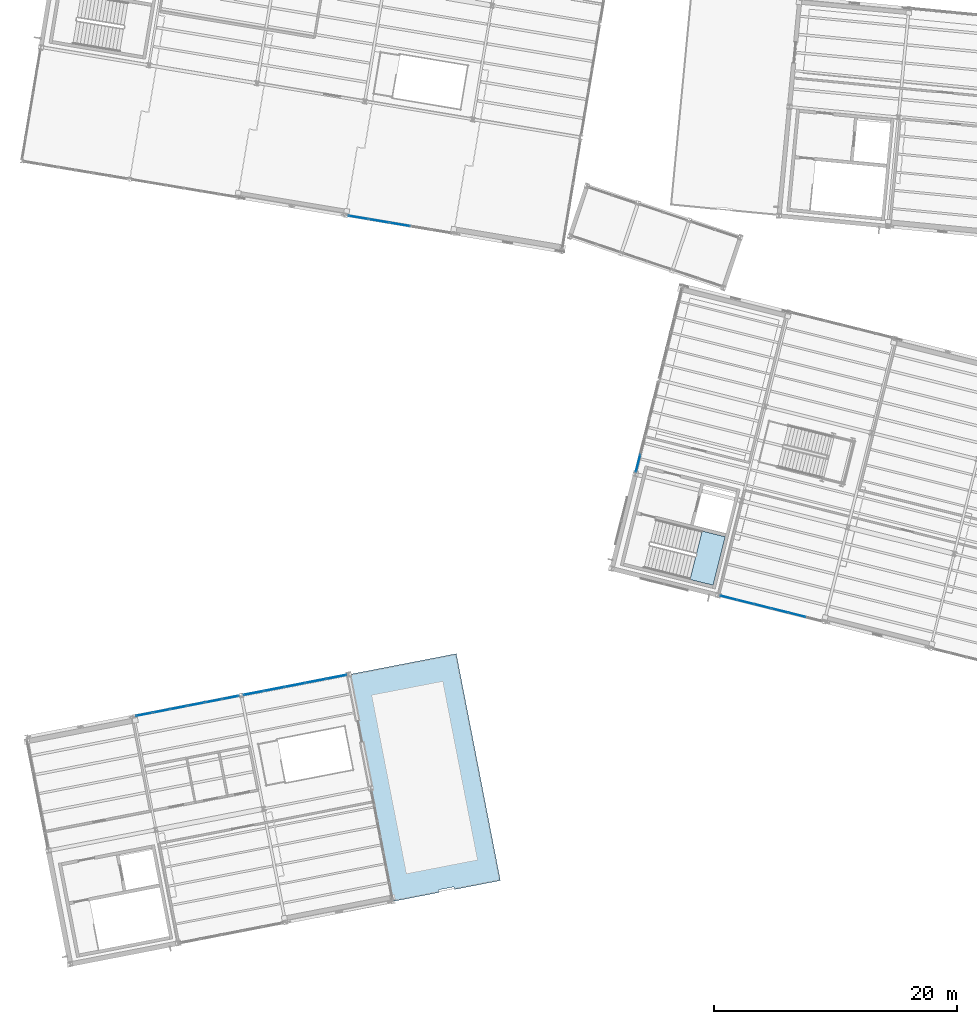
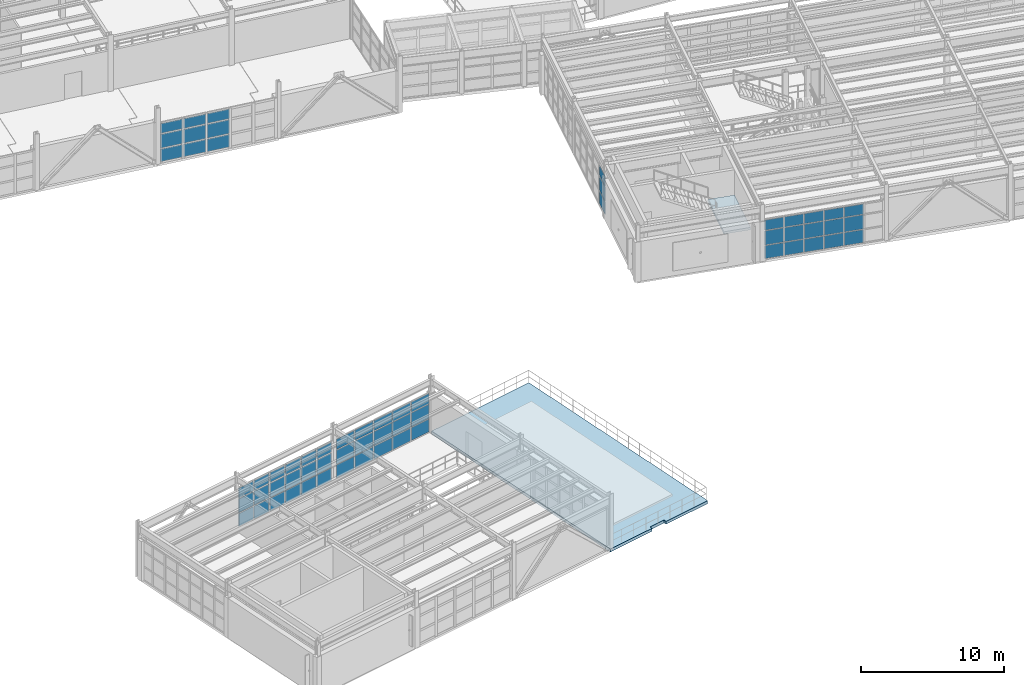
# One storey, part 60 of 102: 60 plates, 2 slabs, 6 elements without a shape of their own.
"""IFC4 building model written with IfcOpenShell, lengths in metres."""

from ifc_helpers import new_model, si_unit, direction, frame, origin, origin_2d, place, context, subcontext, project, spatial, polyline, rectangle, outline, extrude, material, layer, layer_set, type_object, element, aggregate, save


model = new_model("IFC4")

# Units and contexts
model_context = context("Model", 3, precision=1e-05, world=origin(), true_north=direction((0.0, 1.0)))
body_context = subcontext(model_context, "Body", "Model", "MODEL_VIEW")
ifc_project = project(units=[si_unit("LENGTHUNIT", "METRE"), si_unit("AREAUNIT", "SQUARE_METRE"), si_unit("VOLUMEUNIT", "CUBIC_METRE"), si_unit("PLANEANGLEUNIT", "RADIAN"), si_unit("MASSUNIT", "GRAM", prefix="KILO")], contexts=[model_context])

# Site, building, storey
site_placement = place(None, origin())
site = spatial("IfcSite", under=ifc_project, at=site_placement, CompositionType="ELEMENT")
building_placement = place(site_placement, origin())
building = spatial("IfcBuilding", under=site, at=building_placement, Name="Vireo Bluff Cable Station", CompositionType="ELEMENT")
storey_placement = place(building_placement, frame((0.0, 0.0, 9.60009765625)))
storey = spatial("IfcBuildingStorey", under=building, at=storey_placement, Name="L02", CompositionType="ELEMENT", Elevation=9.60009765625)

# Curtain wall, plates
ifc_material_1 = material(Name="Anodized Aluminium 6063-T6", Category="aluminium")
ifc_layer_1 = layer(ifc_material_1, 0.179931640625, Name="Anodized Aluminium 6063-T6")
ifc_layer_set_1 = layer_set([ifc_layer_1], Name="Anodized Aluminium 6063-T6")
curtain_wall_type_1 = type_object("IfcCurtainWallType", Name="CW-UNIT-1500", PredefinedType="USERDEFINED", material=ifc_layer_set_1)
curtain_wall_1_placement = place(storey_placement, origin())
curtain_wall_1 = element("IfcCurtainWall", 1, at=curtain_wall_1_placement, inside=storey, type_object=curtain_wall_type_1, Name="V1 L02 south curtain wall CW-010", ObjectType="UNITISED CURTAIN WALL", PredefinedType="USERDEFINED")
ifc_material_2 = material(Name="Laminated Low-E Insulated Glass", Category="glass")
ifc_layer_2 = layer(ifc_material_2, 0.028076171875, Name="Laminated Low-E Insulated Glass")
ifc_layer_set_2 = layer_set([ifc_layer_2], Name="Laminated Low-E Insulated Glass")
plate_type_1 = type_object("IfcPlateType", Name="CWP-28-1", PredefinedType="CURTAIN_PANEL", material=ifc_layer_set_2)
plate_1_placement = place(storey_placement, frame((69.206298828125, 34.208740234375, 0.059814453125), z_axis=(0.0, 0.0, 1.0), x_axis=(-0.970295740151, 0.241921839952, 0.0)))
plate_1 = element("IfcPlate", 2, at=plate_1_placement, type_object=plate_type_1, Name="CW-010 panel 2.1", PredefinedType="CURTAIN_PANEL", context=body_context, shape_type="SweptSolid", body=[
    extrude(rectangle(XDim=1.387939453125, YDim=0.028076171875, at=origin_2d()), origin(), (0.0, 0.0, 1.0), 1.10009765625),
])
plate_2_placement = place(storey_placement, frame((69.206298828125, 34.208740234375, 1.2197265625), z_axis=(0.0, 0.0, 1.0), x_axis=(-0.970295740151, 0.241921839952, 0.0)))
plate_2 = element("IfcPlate", 3, at=plate_2_placement, type_object=plate_type_1, Name="CW-010 panel 2.2", PredefinedType="CURTAIN_PANEL", context=body_context, shape_type="SweptSolid", body=[
    extrude(rectangle(XDim=1.387939453125, YDim=0.028076171875, at=origin_2d()), origin(), (0.0, 0.0, 1.0), 1.197998046875),
])
plate_3_placement = place(storey_placement, frame((69.206298828125, 34.208740234375, 2.47802734375), z_axis=(0.0, 0.0, 1.0), x_axis=(-0.970295740151, 0.241921839952, 0.0)))
plate_3 = element("IfcPlate", 4, at=plate_3_placement, type_object=plate_type_1, Name="CW-010 panel 2.3", PredefinedType="CURTAIN_PANEL", context=body_context, shape_type="SweptSolid", body=[
    extrude(rectangle(XDim=1.387939453125, YDim=0.028076171875, at=origin_2d()), origin(), (0.0, 0.0, 1.0), 0.862060546875),
])
plate_4_placement = place(storey_placement, frame((67.801513671875, 34.558837890625, 0.059814453125), z_axis=(0.0, 0.0, 1.0), x_axis=(-0.970295740151, 0.241921839952, 0.0)))
plate_4 = element("IfcPlate", 5, at=plate_4_placement, type_object=plate_type_1, Name="CW-010 panel 3.1", PredefinedType="CURTAIN_PANEL", context=body_context, shape_type="SweptSolid", body=[
    extrude(rectangle(XDim=1.387939453125, YDim=0.028076171875, at=origin_2d()), origin(), (0.0, 0.0, 1.0), 1.10009765625),
])
plate_5_placement = place(storey_placement, frame((67.801513671875, 34.558837890625, 1.2197265625), z_axis=(0.0, 0.0, 1.0), x_axis=(-0.970295740151, 0.241921839952, 0.0)))
plate_5 = element("IfcPlate", 6, at=plate_5_placement, type_object=plate_type_1, Name="CW-010 panel 3.2", PredefinedType="CURTAIN_PANEL", context=body_context, shape_type="SweptSolid", body=[
    extrude(rectangle(XDim=1.387939453125, YDim=0.028076171875, at=origin_2d()), origin(), (0.0, 0.0, 1.0), 1.197998046875),
])
plate_6_placement = place(storey_placement, frame((67.801513671875, 34.558837890625, 2.47802734375), z_axis=(0.0, 0.0, 1.0), x_axis=(-0.970295740151, 0.241921839952, 0.0)))
plate_6 = element("IfcPlate", 7, at=plate_6_placement, type_object=plate_type_1, Name="CW-010 panel 3.3", PredefinedType="CURTAIN_PANEL", context=body_context, shape_type="SweptSolid", body=[
    extrude(rectangle(XDim=1.387939453125, YDim=0.028076171875, at=origin_2d()), origin(), (0.0, 0.0, 1.0), 0.862060546875),
])
plate_7_placement = place(storey_placement, frame((66.396484375, 34.9091796875, 0.059814453125), z_axis=(0.0, 0.0, 1.0), x_axis=(-0.970295740151, 0.241921839952, 0.0)))
plate_7 = element("IfcPlate", 8, at=plate_7_placement, type_object=plate_type_1, Name="CW-010 panel 4.1", PredefinedType="CURTAIN_PANEL", context=body_context, shape_type="SweptSolid", body=[
    extrude(rectangle(XDim=1.387939453125, YDim=0.028076171875, at=origin_2d()), origin(), (0.0, 0.0, 1.0), 1.10009765625),
])
plate_8_placement = place(storey_placement, frame((66.396484375, 34.9091796875, 1.2197265625), z_axis=(0.0, 0.0, 1.0), x_axis=(-0.970295740151, 0.241921839952, 0.0)))
plate_8 = element("IfcPlate", 9, at=plate_8_placement, type_object=plate_type_1, Name="CW-010 panel 4.2", PredefinedType="CURTAIN_PANEL", context=body_context, shape_type="SweptSolid", body=[
    extrude(rectangle(XDim=1.387939453125, YDim=0.028076171875, at=origin_2d()), origin(), (0.0, 0.0, 1.0), 1.197998046875),
])
plate_9_placement = place(storey_placement, frame((66.396484375, 34.9091796875, 2.47802734375), z_axis=(0.0, 0.0, 1.0), x_axis=(-0.970295740151, 0.241921839952, 0.0)))
plate_9 = element("IfcPlate", 10, at=plate_9_placement, type_object=plate_type_1, Name="CW-010 panel 4.3", PredefinedType="CURTAIN_PANEL", context=body_context, shape_type="SweptSolid", body=[
    extrude(rectangle(XDim=1.387939453125, YDim=0.028076171875, at=origin_2d()), origin(), (0.0, 0.0, 1.0), 0.862060546875),
])
plate_10_placement = place(storey_placement, frame((64.99169921875, 35.259521484375, 0.059814453125), z_axis=(0.0, 0.0, 1.0), x_axis=(-0.970295740151, 0.241921839952, 0.0)))
plate_10 = element("IfcPlate", 11, at=plate_10_placement, type_object=plate_type_1, Name="CW-010 panel 5.1", PredefinedType="CURTAIN_PANEL", context=body_context, shape_type="SweptSolid", body=[
    extrude(rectangle(XDim=1.387939453125, YDim=0.028076171875, at=origin_2d()), origin(), (0.0, 0.0, 1.0), 1.10009765625),
])
plate_11_placement = place(storey_placement, frame((64.99169921875, 35.259521484375, 1.2197265625), z_axis=(0.0, 0.0, 1.0), x_axis=(-0.970295740151, 0.241921839952, 0.0)))
plate_11 = element("IfcPlate", 12, at=plate_11_placement, type_object=plate_type_1, Name="CW-010 panel 5.2", PredefinedType="CURTAIN_PANEL", context=body_context, shape_type="SweptSolid", body=[
    extrude(rectangle(XDim=1.387939453125, YDim=0.028076171875, at=origin_2d()), origin(), (0.0, 0.0, 1.0), 1.197998046875),
])
plate_12_placement = place(storey_placement, frame((64.99169921875, 35.259521484375, 2.47802734375), z_axis=(0.0, 0.0, 1.0), x_axis=(-0.970295740151, 0.241921839952, 0.0)))
plate_12 = element("IfcPlate", 13, at=plate_12_placement, type_object=plate_type_1, Name="CW-010 panel 5.3", PredefinedType="CURTAIN_PANEL", context=body_context, shape_type="SweptSolid", body=[
    extrude(rectangle(XDim=1.387939453125, YDim=0.028076171875, at=origin_2d()), origin(), (0.0, 0.0, 1.0), 0.862060546875),
])
plate_13_placement = place(storey_placement, frame((63.6015625, 35.606201171875, 0.059814453125), z_axis=(0.0, 0.0, 1.0), x_axis=(-0.970295740151, 0.241921839952, 0.0)))
plate_13 = element("IfcPlate", 14, at=plate_13_placement, type_object=plate_type_1, Name="CW-010 panel 6.1", PredefinedType="CURTAIN_PANEL", context=body_context, shape_type="SweptSolid", body=[
    extrude(rectangle(XDim=1.35791015625, YDim=0.028076171875, at=origin_2d()), origin(), (0.0, 0.0, 1.0), 1.10009765625),
])
plate_14_placement = place(storey_placement, frame((63.6015625, 35.606201171875, 1.2197265625), z_axis=(0.0, 0.0, 1.0), x_axis=(-0.970295740151, 0.241921839952, 0.0)))
plate_14 = element("IfcPlate", 15, at=plate_14_placement, type_object=plate_type_1, Name="CW-010 panel 6.2", PredefinedType="CURTAIN_PANEL", context=body_context, shape_type="SweptSolid", body=[
    extrude(rectangle(XDim=1.35791015625, YDim=0.028076171875, at=origin_2d()), origin(), (0.0, 0.0, 1.0), 1.197998046875),
])
plate_15_placement = place(storey_placement, frame((63.6015625, 35.606201171875, 2.47802734375), z_axis=(0.0, 0.0, 1.0), x_axis=(-0.970295740151, 0.241921839952, 0.0)))
plate_15 = element("IfcPlate", 16, at=plate_15_placement, type_object=plate_type_1, Name="CW-010 panel 6.3", PredefinedType="CURTAIN_PANEL", context=body_context, shape_type="SweptSolid", body=[
    extrude(rectangle(XDim=1.35791015625, YDim=0.028076171875, at=origin_2d()), origin(), (0.0, 0.0, 1.0), 0.862060546875),
])
aggregate(curtain_wall_1, [plate_1, plate_2, plate_3, plate_4, plate_5, plate_6, plate_7, plate_8, plate_9, plate_10, plate_11, plate_12, plate_13, plate_14, plate_15])

ifc_layer_3 = layer(ifc_material_1, 0.179931640625, Name="Anodized Aluminium 6063-T6")
ifc_layer_set_3 = layer_set([ifc_layer_3], Name="Anodized Aluminium 6063-T6")
curtain_wall_type_2 = type_object("IfcCurtainWallType", Name="CW-UNIT-1650", PredefinedType="USERDEFINED", material=ifc_layer_set_3)
curtain_wall_2_placement = place(storey_placement, origin())
curtain_wall_2 = element("IfcCurtainWall", 17, at=curtain_wall_2_placement, inside=storey, type_object=curtain_wall_type_2, Name="V4 L02 south curtain wall CW-095", ObjectType="UNITISED CURTAIN WALL", PredefinedType="USERDEFINED")
plate_16_placement = place(storey_placement, frame((36.580810546875, 66.298828125, 0.080078125), z_axis=(0.0, 0.0, 1.0), x_axis=(-0.986285596217, 0.165047637655, 0.0)))
plate_16 = element("IfcPlate", 18, at=plate_16_placement, type_object=plate_type_1, Name="CW-095 panel 3.1", PredefinedType="CURTAIN_PANEL", context=body_context, shape_type="SweptSolid", body=[
    extrude(rectangle(XDim=1.66259765625, YDim=0.028076171875, at=origin_2d()), origin(), (0.0, 0.0, 1.0), 1.070068359375),
])
plate_17_placement = place(storey_placement, frame((36.580810546875, 66.298828125, 1.22998046875), z_axis=(0.0, 0.0, 1.0), x_axis=(-0.986285596217, 0.165047637655, 0.0)))
plate_17 = element("IfcPlate", 19, at=plate_17_placement, type_object=plate_type_1, Name="CW-095 panel 3.2", PredefinedType="CURTAIN_PANEL", context=body_context, shape_type="SweptSolid", body=[
    extrude(rectangle(XDim=1.66259765625, YDim=0.028076171875, at=origin_2d()), origin(), (0.0, 0.0, 1.0), 1.177978515625),
])
plate_18_placement = place(storey_placement, frame((36.580810546875, 66.298828125, 2.48779296875), z_axis=(0.0, 0.0, 1.0), x_axis=(-0.986285596217, 0.165047637655, 0.0)))
plate_18 = element("IfcPlate", 20, at=plate_18_placement, type_object=plate_type_1, Name="CW-095 panel 3.3", PredefinedType="CURTAIN_PANEL", context=body_context, shape_type="SweptSolid", body=[
    extrude(rectangle(XDim=1.66259765625, YDim=0.028076171875, at=origin_2d()), origin(), (0.0, 0.0, 1.0), 0.83203125),
])
plate_19_placement = place(storey_placement, frame((34.862060546875, 66.58642578125, 0.080078125), z_axis=(0.0, 0.0, 1.0), x_axis=(-0.986285596217, 0.165047637655, 0.0)))
plate_19 = element("IfcPlate", 21, at=plate_19_placement, type_object=plate_type_1, Name="CW-095 panel 4.1", PredefinedType="CURTAIN_PANEL", context=body_context, shape_type="SweptSolid", body=[
    extrude(rectangle(XDim=1.66259765625, YDim=0.028076171875, at=origin_2d()), origin(), (0.0, 0.0, 1.0), 1.070068359375),
])
plate_20_placement = place(storey_placement, frame((34.862060546875, 66.58642578125, 1.22998046875), z_axis=(0.0, 0.0, 1.0), x_axis=(-0.986285596217, 0.165047637655, 0.0)))
plate_20 = element("IfcPlate", 22, at=plate_20_placement, type_object=plate_type_1, Name="CW-095 panel 4.2", PredefinedType="CURTAIN_PANEL", context=body_context, shape_type="SweptSolid", body=[
    extrude(rectangle(XDim=1.66259765625, YDim=0.028076171875, at=origin_2d()), origin(), (0.0, 0.0, 1.0), 1.177978515625),
])
plate_21_placement = place(storey_placement, frame((34.862060546875, 66.58642578125, 2.48779296875), z_axis=(0.0, 0.0, 1.0), x_axis=(-0.986285596217, 0.165047637655, 0.0)))
plate_21 = element("IfcPlate", 23, at=plate_21_placement, type_object=plate_type_1, Name="CW-095 panel 4.3", PredefinedType="CURTAIN_PANEL", context=body_context, shape_type="SweptSolid", body=[
    extrude(rectangle(XDim=1.66259765625, YDim=0.028076171875, at=origin_2d()), origin(), (0.0, 0.0, 1.0), 0.83203125),
])
plate_22_placement = place(storey_placement, frame((33.1630859375, 66.870849609375, 0.080078125), z_axis=(0.0, 0.0, 1.0), x_axis=(-0.986285596217, 0.165047637655, 0.0)))
plate_22 = element("IfcPlate", 24, at=plate_22_placement, type_object=plate_type_1, Name="CW-095 panel 5.1", PredefinedType="CURTAIN_PANEL", context=body_context, shape_type="SweptSolid", body=[
    extrude(rectangle(XDim=1.62255859375, YDim=0.028076171875, at=origin_2d()), origin(), (0.0, 0.0, 1.0), 1.070068359375),
])
plate_23_placement = place(storey_placement, frame((33.1630859375, 66.870849609375, 1.22998046875), z_axis=(0.0, 0.0, 1.0), x_axis=(-0.986285596217, 0.165047637655, 0.0)))
plate_23 = element("IfcPlate", 25, at=plate_23_placement, type_object=plate_type_1, Name="CW-095 panel 5.2", PredefinedType="CURTAIN_PANEL", context=body_context, shape_type="SweptSolid", body=[
    extrude(rectangle(XDim=1.62255859375, YDim=0.028076171875, at=origin_2d()), origin(), (0.0, 0.0, 1.0), 1.177978515625),
])
plate_24_placement = place(storey_placement, frame((33.1630859375, 66.870849609375, 2.48779296875), z_axis=(0.0, 0.0, 1.0), x_axis=(-0.986285596217, 0.165047637655, 0.0)))
plate_24 = element("IfcPlate", 26, at=plate_24_placement, type_object=plate_type_1, Name="CW-095 panel 5.3", PredefinedType="CURTAIN_PANEL", context=body_context, shape_type="SweptSolid", body=[
    extrude(rectangle(XDim=1.62255859375, YDim=0.028076171875, at=origin_2d()), origin(), (0.0, 0.0, 1.0), 0.83203125),
])
aggregate(curtain_wall_2, [plate_16, plate_17, plate_18, plate_19, plate_20, plate_21, plate_22, plate_23, plate_24])

curtain_wall_3_placement = place(storey_placement, origin())
curtain_wall_3 = element("IfcCurtainWall", 27, at=curtain_wall_3_placement, inside=storey, type_object=curtain_wall_type_2, Name="V1 L02 west curtain wall CW-011", ObjectType="UNITISED CURTAIN WALL", PredefinedType="USERDEFINED")
ifc_layer_4 = layer(ifc_material_2, 0.031982421875, Name="Laminated Low-E Insulated Glass")
ifc_layer_set_4 = layer_set([ifc_layer_4], Name="Laminated Low-E Insulated Glass")
plate_type_2 = type_object("IfcPlateType", Name="CWP-32-2", PredefinedType="CURTAIN_PANEL", material=ifc_layer_set_4)
plate_25_placement = place(storey_placement, frame((56.15966796875, 46.662353515625, 0.080078125), z_axis=(0.0, 0.0, 1.0), x_axis=(0.241921792212, 0.970295752053, 0.0)))
plate_25 = element("IfcPlate", 28, at=plate_25_placement, type_object=plate_type_2, Name="CW-011 panel 1.1", PredefinedType="CURTAIN_PANEL", context=body_context, shape_type="SweptSolid", body=[
    extrude(rectangle(XDim=1.42724609375, YDim=0.031982421875, at=origin_2d()), origin(), (0.0, 0.0, 1.0), 1.070068359375),
])
plate_26_placement = place(storey_placement, frame((56.15966796875, 46.662353515625, 1.22998046875), z_axis=(0.0, 0.0, 1.0), x_axis=(0.241921792212, 0.970295752053, 0.0)))
plate_26 = element("IfcPlate", 29, at=plate_26_placement, type_object=plate_type_2, Name="CW-011 panel 1.2", PredefinedType="CURTAIN_PANEL", context=body_context, shape_type="SweptSolid", body=[
    extrude(rectangle(XDim=1.42724609375, YDim=0.031982421875, at=origin_2d()), origin(), (0.0, 0.0, 1.0), 1.177978515625),
])
plate_27_placement = place(storey_placement, frame((56.15966796875, 46.662353515625, 2.48779296875), z_axis=(0.0, 0.0, 1.0), x_axis=(0.241921792212, 0.970295752053, 0.0)))
plate_27 = element("IfcPlate", 30, at=plate_27_placement, type_object=plate_type_2, Name="CW-011 panel 1.3", PredefinedType="CURTAIN_PANEL", context=body_context, shape_type="SweptSolid", body=[
    extrude(rectangle(XDim=1.42724609375, YDim=0.031982421875, at=origin_2d()), origin(), (0.0, 0.0, 1.0), 0.83203125),
])
aggregate(curtain_wall_3, [plate_25, plate_26, plate_27])

curtain_wall_4_placement = place(storey_placement, origin())
curtain_wall_4 = element("IfcCurtainWall", 31, at=curtain_wall_4_placement, inside=storey, type_object=curtain_wall_type_1, Name="V5 L02 north curtain wall CW-127", ObjectType="UNITISED CURTAIN WALL", PredefinedType="USERDEFINED")
ifc_layer_5 = layer(ifc_material_2, 0.035888671875, Name="Laminated Low-E Insulated Glass")
ifc_layer_set_5 = layer_set([ifc_layer_5], Name="Laminated Low-E Insulated Glass")
plate_type_3 = type_object("IfcPlateType", Name="CWP-36-3", PredefinedType="CURTAIN_PANEL", material=ifc_layer_set_5)
plate_28_placement = place(storey_placement, frame((15.568603515625, 26.03515625, 0.080078125), z_axis=(0.0, 0.0, 1.0), x_axis=(0.981627182662, 0.19080899942, 0.0)))
plate_28 = element("IfcPlate", 32, at=plate_28_placement, type_object=plate_type_3, Name="CW-127 panel 1.1", PredefinedType="CURTAIN_PANEL", context=body_context, shape_type="SweptSolid", body=[
    extrude(rectangle(XDim=1.33203125, YDim=0.035888671875, at=origin_2d()), origin(), (0.0, 0.0, 1.0), 1.070068359375),
])
plate_29_placement = place(storey_placement, frame((15.568603515625, 26.03515625, 1.22998046875), z_axis=(0.0, 0.0, 1.0), x_axis=(0.981627182662, 0.19080899942, 0.0)))
plate_29 = element("IfcPlate", 33, at=plate_29_placement, type_object=plate_type_3, Name="CW-127 panel 1.2", PredefinedType="CURTAIN_PANEL", context=body_context, shape_type="SweptSolid", body=[
    extrude(rectangle(XDim=1.33203125, YDim=0.035888671875, at=origin_2d()), origin(), (0.0, 0.0, 1.0), 1.177978515625),
])
plate_30_placement = place(storey_placement, frame((15.568603515625, 26.03515625, 2.48779296875), z_axis=(0.0, 0.0, 1.0), x_axis=(0.981627182662, 0.19080899942, 0.0)))
plate_30 = element("IfcPlate", 34, at=plate_30_placement, type_object=plate_type_3, Name="CW-127 panel 1.3", PredefinedType="CURTAIN_PANEL", context=body_context, shape_type="SweptSolid", body=[
    extrude(rectangle(XDim=1.33203125, YDim=0.035888671875, at=origin_2d()), origin(), (0.0, 0.0, 1.0), 0.83203125),
])
plate_31_placement = place(storey_placement, frame((16.974365234375, 26.30859375, 0.080078125), z_axis=(0.0, 0.0, 1.0), x_axis=(0.981627182662, 0.19080899942, 0.0)))
plate_31 = element("IfcPlate", 35, at=plate_31_placement, type_object=plate_type_3, Name="CW-127 panel 2.1", PredefinedType="CURTAIN_PANEL", context=body_context, shape_type="SweptSolid", body=[
    extrude(rectangle(XDim=1.3720703125, YDim=0.035888671875, at=origin_2d()), origin(), (0.0, 0.0, 1.0), 1.070068359375),
])
plate_32_placement = place(storey_placement, frame((16.974365234375, 26.30859375, 1.22998046875), z_axis=(0.0, 0.0, 1.0), x_axis=(0.981627182662, 0.19080899942, 0.0)))
plate_32 = element("IfcPlate", 36, at=plate_32_placement, type_object=plate_type_3, Name="CW-127 panel 2.2", PredefinedType="CURTAIN_PANEL", context=body_context, shape_type="SweptSolid", body=[
    extrude(rectangle(XDim=1.3720703125, YDim=0.035888671875, at=origin_2d()), origin(), (0.0, 0.0, 1.0), 1.177978515625),
])
plate_33_placement = place(storey_placement, frame((16.974365234375, 26.30859375, 2.48779296875), z_axis=(0.0, 0.0, 1.0), x_axis=(0.981627182662, 0.19080899942, 0.0)))
plate_33 = element("IfcPlate", 37, at=plate_33_placement, type_object=plate_type_3, Name="CW-127 panel 2.3", PredefinedType="CURTAIN_PANEL", context=body_context, shape_type="SweptSolid", body=[
    extrude(rectangle(XDim=1.3720703125, YDim=0.035888671875, at=origin_2d()), origin(), (0.0, 0.0, 1.0), 0.83203125),
])
plate_34_placement = place(storey_placement, frame((18.399658203125, 26.58544921875, 0.080078125), z_axis=(0.0, 0.0, 1.0), x_axis=(0.981627182662, 0.19080899942, 0.0)))
plate_34 = element("IfcPlate", 38, at=plate_34_placement, type_object=plate_type_3, Name="CW-127 panel 3.1", PredefinedType="CURTAIN_PANEL", context=body_context, shape_type="SweptSolid", body=[
    extrude(rectangle(XDim=1.3720703125, YDim=0.035888671875, at=origin_2d()), origin(), (0.0, 0.0, 1.0), 1.070068359375),
])
plate_35_placement = place(storey_placement, frame((18.399658203125, 26.58544921875, 1.22998046875), z_axis=(0.0, 0.0, 1.0), x_axis=(0.981627182662, 0.19080899942, 0.0)))
plate_35 = element("IfcPlate", 39, at=plate_35_placement, type_object=plate_type_3, Name="CW-127 panel 3.2", PredefinedType="CURTAIN_PANEL", context=body_context, shape_type="SweptSolid", body=[
    extrude(rectangle(XDim=1.3720703125, YDim=0.035888671875, at=origin_2d()), origin(), (0.0, 0.0, 1.0), 1.177978515625),
])
plate_36_placement = place(storey_placement, frame((18.399658203125, 26.58544921875, 2.48779296875), z_axis=(0.0, 0.0, 1.0), x_axis=(0.981627182662, 0.19080899942, 0.0)))
plate_36 = element("IfcPlate", 40, at=plate_36_placement, type_object=plate_type_3, Name="CW-127 panel 3.3", PredefinedType="CURTAIN_PANEL", context=body_context, shape_type="SweptSolid", body=[
    extrude(rectangle(XDim=1.3720703125, YDim=0.035888671875, at=origin_2d()), origin(), (0.0, 0.0, 1.0), 0.83203125),
])
plate_37_placement = place(storey_placement, frame((19.824951171875, 26.862548828125, 0.080078125), z_axis=(0.0, 0.0, 1.0), x_axis=(0.981627182662, 0.19080899942, 0.0)))
plate_37 = element("IfcPlate", 41, at=plate_37_placement, type_object=plate_type_3, Name="CW-127 panel 4.1", PredefinedType="CURTAIN_PANEL", context=body_context, shape_type="SweptSolid", body=[
    extrude(rectangle(XDim=1.3720703125, YDim=0.035888671875, at=origin_2d()), origin(), (0.0, 0.0, 1.0), 1.070068359375),
])
plate_38_placement = place(storey_placement, frame((19.824951171875, 26.862548828125, 1.22998046875), z_axis=(0.0, 0.0, 1.0), x_axis=(0.981627182662, 0.19080899942, 0.0)))
plate_38 = element("IfcPlate", 42, at=plate_38_placement, type_object=plate_type_3, Name="CW-127 panel 4.2", PredefinedType="CURTAIN_PANEL", context=body_context, shape_type="SweptSolid", body=[
    extrude(rectangle(XDim=1.3720703125, YDim=0.035888671875, at=origin_2d()), origin(), (0.0, 0.0, 1.0), 1.177978515625),
])
plate_39_placement = place(storey_placement, frame((19.824951171875, 26.862548828125, 2.48779296875), z_axis=(0.0, 0.0, 1.0), x_axis=(0.981627182662, 0.19080899942, 0.0)))
plate_39 = element("IfcPlate", 43, at=plate_39_placement, type_object=plate_type_3, Name="CW-127 panel 4.3", PredefinedType="CURTAIN_PANEL", context=body_context, shape_type="SweptSolid", body=[
    extrude(rectangle(XDim=1.3720703125, YDim=0.035888671875, at=origin_2d()), origin(), (0.0, 0.0, 1.0), 0.83203125),
])
plate_40_placement = place(storey_placement, frame((21.250244140625, 27.1396484375, 0.080078125), z_axis=(0.0, 0.0, 1.0), x_axis=(0.981627182662, 0.19080899942, 0.0)))
plate_40 = element("IfcPlate", 44, at=plate_40_placement, type_object=plate_type_3, Name="CW-127 panel 5.1", PredefinedType="CURTAIN_PANEL", context=body_context, shape_type="SweptSolid", body=[
    extrude(rectangle(XDim=1.3720703125, YDim=0.035888671875, at=origin_2d()), origin(), (0.0, 0.0, 1.0), 1.070068359375),
])
plate_41_placement = place(storey_placement, frame((21.250244140625, 27.1396484375, 1.22998046875), z_axis=(0.0, 0.0, 1.0), x_axis=(0.981627182662, 0.19080899942, 0.0)))
plate_41 = element("IfcPlate", 45, at=plate_41_placement, type_object=plate_type_3, Name="CW-127 panel 5.2", PredefinedType="CURTAIN_PANEL", context=body_context, shape_type="SweptSolid", body=[
    extrude(rectangle(XDim=1.3720703125, YDim=0.035888671875, at=origin_2d()), origin(), (0.0, 0.0, 1.0), 1.177978515625),
])
plate_42_placement = place(storey_placement, frame((21.250244140625, 27.1396484375, 2.48779296875), z_axis=(0.0, 0.0, 1.0), x_axis=(0.981627182662, 0.19080899942, 0.0)))
plate_42 = element("IfcPlate", 46, at=plate_42_placement, type_object=plate_type_3, Name="CW-127 panel 5.3", PredefinedType="CURTAIN_PANEL", context=body_context, shape_type="SweptSolid", body=[
    extrude(rectangle(XDim=1.3720703125, YDim=0.035888671875, at=origin_2d()), origin(), (0.0, 0.0, 1.0), 0.83203125),
])
plate_43_placement = place(storey_placement, frame((22.656005859375, 27.412841796875, 0.080078125), z_axis=(0.0, 0.0, 1.0), x_axis=(0.981627182662, 0.19080899942, 0.0)))
plate_43 = element("IfcPlate", 47, at=plate_43_placement, type_object=plate_type_3, Name="CW-127 panel 6.1", PredefinedType="CURTAIN_PANEL", context=body_context, shape_type="SweptSolid", body=[
    extrude(rectangle(XDim=1.33203125, YDim=0.035888671875, at=origin_2d()), origin(), (0.0, 0.0, 1.0), 1.070068359375),
])
plate_44_placement = place(storey_placement, frame((22.656005859375, 27.412841796875, 1.22998046875), z_axis=(0.0, 0.0, 1.0), x_axis=(0.981627182662, 0.19080899942, 0.0)))
plate_44 = element("IfcPlate", 48, at=plate_44_placement, type_object=plate_type_3, Name="CW-127 panel 6.2", PredefinedType="CURTAIN_PANEL", context=body_context, shape_type="SweptSolid", body=[
    extrude(rectangle(XDim=1.33203125, YDim=0.035888671875, at=origin_2d()), origin(), (0.0, 0.0, 1.0), 1.177978515625),
])
plate_45_placement = place(storey_placement, frame((22.656005859375, 27.412841796875, 2.48779296875), z_axis=(0.0, 0.0, 1.0), x_axis=(0.981627182662, 0.19080899942, 0.0)))
plate_45 = element("IfcPlate", 49, at=plate_45_placement, type_object=plate_type_3, Name="CW-127 panel 6.3", PredefinedType="CURTAIN_PANEL", context=body_context, shape_type="SweptSolid", body=[
    extrude(rectangle(XDim=1.33203125, YDim=0.035888671875, at=origin_2d()), origin(), (0.0, 0.0, 1.0), 0.83203125),
])
aggregate(curtain_wall_4, [plate_28, plate_29, plate_30, plate_31, plate_32, plate_33, plate_34, plate_35, plate_36, plate_37, plate_38, plate_39, plate_40, plate_41, plate_42, plate_43, plate_44, plate_45])

curtain_wall_5_placement = place(storey_placement, origin())
curtain_wall_5 = element("IfcCurtainWall", 50, at=curtain_wall_5_placement, inside=storey, type_object=curtain_wall_type_2, Name="V5 L02 north curtain wall CW-128", ObjectType="UNITISED CURTAIN WALL", PredefinedType="USERDEFINED")
ifc_material_3 = material(Name="Insulated Spandrel Glass Panel", Category="glass")
ifc_layer_6 = layer(ifc_material_3, 0.0419921875, Name="Insulated Spandrel Glass Panel")
ifc_layer_set_6 = layer_set([ifc_layer_6], Name="Insulated Spandrel Glass Panel")
plate_type_4 = type_object("IfcPlateType", Name="CWP-42-4", PredefinedType="CURTAIN_PANEL", material=ifc_layer_set_6)
plate_46_placement = place(storey_placement, frame((24.568115234375, 27.784423828125, 0.06494140625), z_axis=(0.0, 0.0, 1.0), x_axis=(0.981627185769, 0.190808983435, 0.0)))
plate_46 = element("IfcPlate", 51, at=plate_46_placement, type_object=plate_type_4, Name="CW-128 panel 1.1", PredefinedType="CURTAIN_PANEL", context=body_context, shape_type="SweptSolid", body=[
    extrude(rectangle(XDim=1.639404296875, YDim=0.0419921875, at=origin_2d()), origin(), (0.0, 0.0, 1.0), 1.092529296875),
])
plate_47_placement = place(storey_placement, frame((24.568115234375, 27.784423828125, 1.22216796875), z_axis=(0.0, 0.0, 1.0), x_axis=(0.981627185769, 0.190808983435, 0.0)))
plate_47 = element("IfcPlate", 52, at=plate_47_placement, type_object=plate_type_4, Name="CW-128 panel 1.2", PredefinedType="CURTAIN_PANEL", context=body_context, shape_type="SweptSolid", body=[
    extrude(rectangle(XDim=1.639404296875, YDim=0.0419921875, at=origin_2d()), origin(), (0.0, 0.0, 1.0), 1.193115234375),
])
plate_48_placement = place(storey_placement, frame((24.568115234375, 27.784423828125, 2.48046875), z_axis=(0.0, 0.0, 1.0), x_axis=(0.981627185769, 0.190808983435, 0.0)))
plate_48 = element("IfcPlate", 53, at=plate_48_placement, type_object=plate_type_4, Name="CW-128 panel 1.3", PredefinedType="CURTAIN_PANEL", context=body_context, shape_type="SweptSolid", body=[
    extrude(rectangle(XDim=1.639404296875, YDim=0.0419921875, at=origin_2d()), origin(), (0.0, 0.0, 1.0), 0.8544921875),
])
plate_49_placement = place(storey_placement, frame((26.257080078125, 28.11279296875, 0.06494140625), z_axis=(0.0, 0.0, 1.0), x_axis=(0.981627185769, 0.190808983435, 0.0)))
plate_49 = element("IfcPlate", 54, at=plate_49_placement, type_object=plate_type_4, Name="CW-128 panel 2.1", PredefinedType="CURTAIN_PANEL", context=body_context, shape_type="SweptSolid", body=[
    extrude(rectangle(XDim=1.672119140625, YDim=0.0419921875, at=origin_2d()), origin(), (0.0, 0.0, 1.0), 1.092529296875),
])
plate_50_placement = place(storey_placement, frame((26.257080078125, 28.11279296875, 1.22216796875), z_axis=(0.0, 0.0, 1.0), x_axis=(0.981627185769, 0.190808983435, 0.0)))
plate_50 = element("IfcPlate", 55, at=plate_50_placement, type_object=plate_type_4, Name="CW-128 panel 2.2", PredefinedType="CURTAIN_PANEL", context=body_context, shape_type="SweptSolid", body=[
    extrude(rectangle(XDim=1.672119140625, YDim=0.0419921875, at=origin_2d()), origin(), (0.0, 0.0, 1.0), 1.193115234375),
])
plate_51_placement = place(storey_placement, frame((26.257080078125, 28.11279296875, 2.48046875), z_axis=(0.0, 0.0, 1.0), x_axis=(0.981627185769, 0.190808983435, 0.0)))
plate_51 = element("IfcPlate", 56, at=plate_51_placement, type_object=plate_type_4, Name="CW-128 panel 2.3", PredefinedType="CURTAIN_PANEL", context=body_context, shape_type="SweptSolid", body=[
    extrude(rectangle(XDim=1.672119140625, YDim=0.0419921875, at=origin_2d()), origin(), (0.0, 0.0, 1.0), 0.8544921875),
])
plate_52_placement = place(storey_placement, frame((27.962158203125, 28.4443359375, 0.06494140625), z_axis=(0.0, 0.0, 1.0), x_axis=(0.981627185769, 0.190808983435, 0.0)))
plate_52 = element("IfcPlate", 57, at=plate_52_placement, type_object=plate_type_4, Name="CW-128 panel 3.1", PredefinedType="CURTAIN_PANEL", context=body_context, shape_type="SweptSolid", body=[
    extrude(rectangle(XDim=1.672119140625, YDim=0.0419921875, at=origin_2d()), origin(), (0.0, 0.0, 1.0), 1.092529296875),
])
plate_53_placement = place(storey_placement, frame((27.962158203125, 28.4443359375, 1.22216796875), z_axis=(0.0, 0.0, 1.0), x_axis=(0.981627185769, 0.190808983435, 0.0)))
plate_53 = element("IfcPlate", 58, at=plate_53_placement, type_object=plate_type_4, Name="CW-128 panel 3.2", PredefinedType="CURTAIN_PANEL", context=body_context, shape_type="SweptSolid", body=[
    extrude(rectangle(XDim=1.672119140625, YDim=0.0419921875, at=origin_2d()), origin(), (0.0, 0.0, 1.0), 1.193115234375),
])
plate_54_placement = place(storey_placement, frame((27.962158203125, 28.4443359375, 2.48046875), z_axis=(0.0, 0.0, 1.0), x_axis=(0.981627185769, 0.190808983435, 0.0)))
plate_54 = element("IfcPlate", 59, at=plate_54_placement, type_object=plate_type_4, Name="CW-128 panel 3.3", PredefinedType="CURTAIN_PANEL", context=body_context, shape_type="SweptSolid", body=[
    extrude(rectangle(XDim=1.672119140625, YDim=0.0419921875, at=origin_2d()), origin(), (0.0, 0.0, 1.0), 0.8544921875),
])
plate_55_placement = place(storey_placement, frame((29.667236328125, 28.775634765625, 0.06494140625), z_axis=(0.0, 0.0, 1.0), x_axis=(0.981627185769, 0.190808983435, 0.0)))
plate_55 = element("IfcPlate", 60, at=plate_55_placement, type_object=plate_type_4, Name="CW-128 panel 4.1", PredefinedType="CURTAIN_PANEL", context=body_context, shape_type="SweptSolid", body=[
    extrude(rectangle(XDim=1.672119140625, YDim=0.0419921875, at=origin_2d()), origin(), (0.0, 0.0, 1.0), 1.092529296875),
])
plate_56_placement = place(storey_placement, frame((29.667236328125, 28.775634765625, 1.22216796875), z_axis=(0.0, 0.0, 1.0), x_axis=(0.981627185769, 0.190808983435, 0.0)))
plate_56 = element("IfcPlate", 61, at=plate_56_placement, type_object=plate_type_4, Name="CW-128 panel 4.2", PredefinedType="CURTAIN_PANEL", context=body_context, shape_type="SweptSolid", body=[
    extrude(rectangle(XDim=1.672119140625, YDim=0.0419921875, at=origin_2d()), origin(), (0.0, 0.0, 1.0), 1.193115234375),
])
plate_57_placement = place(storey_placement, frame((29.667236328125, 28.775634765625, 2.48046875), z_axis=(0.0, 0.0, 1.0), x_axis=(0.981627185769, 0.190808983435, 0.0)))
plate_57 = element("IfcPlate", 62, at=plate_57_placement, type_object=plate_type_4, Name="CW-128 panel 4.3", PredefinedType="CURTAIN_PANEL", context=body_context, shape_type="SweptSolid", body=[
    extrude(rectangle(XDim=1.672119140625, YDim=0.0419921875, at=origin_2d()), origin(), (0.0, 0.0, 1.0), 0.8544921875),
])
plate_58_placement = place(storey_placement, frame((31.3564453125, 29.10400390625, 0.06494140625), z_axis=(0.0, 0.0, 1.0), x_axis=(0.981627185769, 0.190808983435, 0.0)))
plate_58 = element("IfcPlate", 63, at=plate_58_placement, type_object=plate_type_4, Name="CW-128 panel 5.1", PredefinedType="CURTAIN_PANEL", context=body_context, shape_type="SweptSolid", body=[
    extrude(rectangle(XDim=1.639404296875, YDim=0.0419921875, at=origin_2d()), origin(), (0.0, 0.0, 1.0), 1.092529296875),
])
plate_59_placement = place(storey_placement, frame((31.3564453125, 29.10400390625, 1.22216796875), z_axis=(0.0, 0.0, 1.0), x_axis=(0.981627185769, 0.190808983435, 0.0)))
plate_59 = element("IfcPlate", 64, at=plate_59_placement, type_object=plate_type_4, Name="CW-128 panel 5.2", PredefinedType="CURTAIN_PANEL", context=body_context, shape_type="SweptSolid", body=[
    extrude(rectangle(XDim=1.639404296875, YDim=0.0419921875, at=origin_2d()), origin(), (0.0, 0.0, 1.0), 1.193115234375),
])
plate_60_placement = place(storey_placement, frame((31.3564453125, 29.10400390625, 2.48046875), z_axis=(0.0, 0.0, 1.0), x_axis=(0.981627185769, 0.190808983435, 0.0)))
plate_60 = element("IfcPlate", 65, at=plate_60_placement, type_object=plate_type_4, Name="CW-128 panel 5.3", PredefinedType="CURTAIN_PANEL", context=body_context, shape_type="SweptSolid", body=[
    extrude(rectangle(XDim=1.639404296875, YDim=0.0419921875, at=origin_2d()), origin(), (0.0, 0.0, 1.0), 0.8544921875),
])
aggregate(curtain_wall_5, [plate_46, plate_47, plate_48, plate_49, plate_50, plate_51, plate_52, plate_53, plate_54, plate_55, plate_56, plate_57, plate_58, plate_59, plate_60])

# Stair, slab
ifc_material_4 = material(Name="Concrete f'c 40 MPa", Category="concrete")
stair_type = type_object("IfcStairType", Name="STAIR-HT-1950", PredefinedType="HALF_TURN_STAIR", material=ifc_material_4)
stair_placement = place(storey_placement, origin())
stair = element("IfcStair", 66, at=stair_placement, inside=storey, type_object=stair_type, Name="L02 CORE-2 Exit Stair ST-02", PredefinedType="HALF_TURN_STAIR")
ifc_layer_7 = layer(ifc_material_4, 0.199951171875, Name="Concrete f'c 40 MPa")
ifc_layer_set_7 = layer_set([ifc_layer_7], Name="Concrete f'c 40 MPa")
slab_type_1 = type_object("IfcSlabType", Name="LANDING-200", PredefinedType="LANDING", material=ifc_layer_set_7)
slab_1_placement = place(storey_placement, frame((0.0, 0.0, 2.199951171875)))
slab_1 = element("IfcSlab", 67, at=slab_1_placement, type_object=slab_type_1, Name="ST-02 landing 1", PredefinedType="LANDING", context=body_context, shape_type="SweptSolid", body=[
    extrude(outline(polyline([(60.427001953125, 37.118896484375), (62.31982421875, 36.64697265625), (63.311767578125, 40.625244140625), (61.4189453125, 41.09716796875), (60.427001953125, 37.118896484375)])), origin(), (0.0, 0.0, 1.0), 0.199951171875),
])
aggregate(stair, [slab_1])

# Slab
ifc_layer_8 = layer(ifc_material_4, 0.25, Name="Concrete f'c 40 MPa")
ifc_layer_set_8 = layer_set([ifc_layer_8], Name="Concrete f'c 40 MPa")
slab_type_2 = type_object("IfcSlabType", Name="TERRACESLAB-250", PredefinedType="FLOOR", material=ifc_layer_set_8)
slab_2_placement = place(storey_placement, frame((0.0, 0.0, -0.25)))
element("IfcSlab", 68, at=slab_2_placement, inside=storey, type_object=slab_type_2, Name="V5 L02 walkable outdoor terrace slab", PredefinedType="FLOOR", context=body_context, shape_type="SweptSolid", body=[
    extrude(outline(polyline([(36.023681640625, 10.65576171875), (39.79296875, 11.388427734375), (39.7509765625, 11.604248046875), (41.027099609375, 11.852294921875), (41.069091796875, 11.636474609375), (44.838623046875, 12.369140625), (41.213134765625, 31.02001953125), (32.398193359375, 29.306640625), (36.023681640625, 10.65576171875)])), origin(), (0.0, 0.0, 1.0), 0.25),
])

save(model, "model.ifc")
